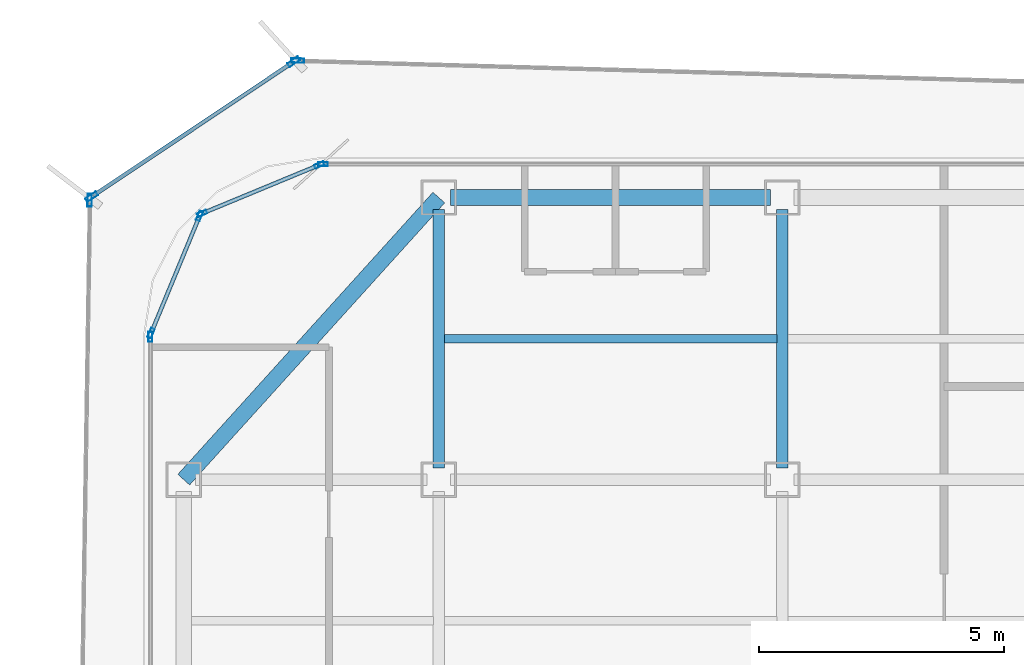
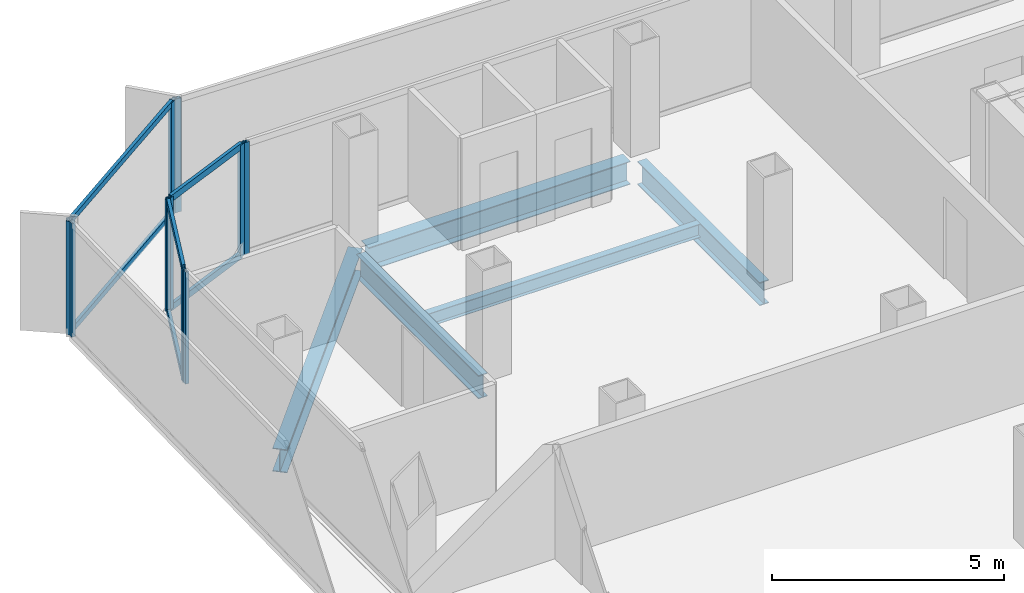
# One storey, part 6 of 16: 16 members, 5 beams, 7 elements without a shape of their own.
"""IFC4 building model written with IfcOpenShell, lengths in metres."""

from ifc_helpers import new_model, si_unit, direction, frame, origin, origin_2d, place, context, subcontext, project, spatial, hollow_rectangle, i_section, extrude, source, transform, mapped, material, layer, layer_set, material_profile, profile_set, type_object, element, aggregate, save


model = new_model("IFC4")

# Units and contexts
model_context = context("Model", 3, precision=1e-05, world=origin(), true_north=direction((0.0, 1.0)))
body_context = subcontext(model_context, "Body", "Model", "MODEL_VIEW")
ifc_project = project(units=[si_unit("LENGTHUNIT", "METRE"), si_unit("AREAUNIT", "SQUARE_METRE"), si_unit("VOLUMEUNIT", "CUBIC_METRE"), si_unit("PLANEANGLEUNIT", "RADIAN"), si_unit("MASSUNIT", "GRAM", prefix="KILO")], contexts=[model_context])

# Site, building, storey
site_placement = place(None, origin())
site = spatial("IfcSite", under=ifc_project, at=site_placement, CompositionType="ELEMENT")
building_placement = place(site_placement, origin())
building = spatial("IfcBuilding", under=site, at=building_placement, Name="Kolveth Station Tower", CompositionType="ELEMENT")
storey_placement = place(building_placement, frame((0.0, 0.0, 209.199951171875)))
storey = spatial("IfcBuildingStorey", under=building, at=storey_placement, Name="L59", CompositionType="ELEMENT", Elevation=209.199951171875)

# Beams
ifc_material_1 = material(Name="Steel S355", Category="steel")
ifc_material_profile_1 = material_profile(ifc_material_1, i_section(OverallWidth=0.323974609375, OverallDepth=0.611083984375, WebThickness=0.0126953125, FlangeThickness=0.01904296875, at=origin_2d()), Name="W610x155")
ifc_profile_set_1 = profile_set([ifc_material_profile_1], Name="Steel S355")
beam_type_1 = type_object("IfcBeamType", Name="Beam_SP2", PredefinedType="SPANDREL", material=ifc_profile_set_1)
shared_shape_1 = source(origin(), body_context, "Body", "SweptSolid", [
    extrude(i_section(OverallWidth=0.323974609375, OverallDepth=0.611083984375, WebThickness=0.0126953125, FlangeThickness=0.01904296875, at=origin_2d()), origin(), (0.0, 0.0, 1.0), 7.75244140625),
])
beam_1_placement = place(storey_placement, frame((6.0, 34.5, -0.555419921875), z_axis=(-0.670740965555, -0.74169168603, 0.0), x_axis=(0.74169168603, -0.670740965555, 0.0)))
element("IfcBeam", 1, at=beam_1_placement, inside=storey, type_object=beam_type_1, Name="L59 Corner Edge Girder BM-L59-CNR-NW", PredefinedType="SPANDREL", context=body_context, shape_type="MappedRepresentation", body=[
    mapped(shared_shape_1, transform((0.0, 0.0, 0.0), x_axis=(1.0, 0.0, 0.0), y_axis=(0.0, 1.0, 0.0), z_axis=(0.0, 0.0, 1.0), scale=1.0)),
])
shared_shape_2 = source(origin(), body_context, "Body", "SweptSolid", [
    extrude(i_section(OverallWidth=0.323974609375, OverallDepth=0.611083984375, WebThickness=0.0126953125, FlangeThickness=0.01904296875, at=origin_2d()), origin(), (0.0, 0.0, 1.0), 6.52001953125),
])
beam_2_placement = place(storey_placement, frame((6.239990234375, 34.5, -0.555419921875), z_axis=(1.0, 0.0, 0.0), x_axis=(0.0, 1.0, 0.0)))
element("IfcBeam", 2, at=beam_2_placement, inside=storey, type_object=beam_type_1, Name="L59 Perimeter Spandrel BM-L59-PN-1", PredefinedType="SPANDREL", context=body_context, shape_type="MappedRepresentation", body=[
    mapped(shared_shape_2, transform((0.0, 0.0, 0.0), x_axis=(1.0, 0.0, 0.0), y_axis=(0.0, 1.0, 0.0), z_axis=(0.0, 0.0, 1.0), scale=1.0)),
])
ifc_material_profile_2 = material_profile(ifc_material_1, i_section(OverallWidth=0.22900390625, OverallDepth=0.612060546875, WebThickness=0.011962890625, FlangeThickness=0.01953125, at=origin_2d()), Name="W610x125")
ifc_profile_set_2 = profile_set([ifc_material_profile_2], Name="Steel S355")
beam_type_2 = type_object("IfcBeamType", Name="Beam_B5", PredefinedType="BEAM", material=ifc_profile_set_2)
shared_shape_3 = source(origin(), body_context, "Body", "SweptSolid", [
    extrude(i_section(OverallWidth=0.22900390625, OverallDepth=0.612060546875, WebThickness=0.011962890625, FlangeThickness=0.01953125, at=origin_2d()), origin(), (0.0, 0.0, 1.0), 5.27001953125),
])
for number, where, z_axis, x_axis, name in (
    (3, (6.0, 28.989990234375, -0.555908203125), (0.0, 1.0, 0.0), (-1.0, 0.0, 0.0), "L59 Primary Girder BM-L59-GX60-6"),
    (4, (13.0, 28.989990234375, -0.555908203125), (0.0, 1.0, 0.0), (-1.0, 0.0, 0.0), "L59 Primary Girder BM-L59-GX130-6"),
):
    element("IfcBeam", number, at=place(storey_placement, frame(where, z_axis=z_axis, x_axis=x_axis)), inside=storey, type_object=beam_type_2, Name=name, PredefinedType="BEAM", context=body_context, shape_type="MappedRepresentation", body=[
        mapped(shared_shape_3, transform((0.0, 0.0, 0.0), x_axis=(1.0, 0.0, 0.0), y_axis=(0.0, 1.0, 0.0), z_axis=(0.0, 0.0, 1.0), scale=1.0)),
    ])
ifc_material_profile_3 = material_profile(ifc_material_1, i_section(OverallWidth=0.1708984375, OverallDepth=0.35205078125, WebThickness=0.0068359375, FlangeThickness=0.009765625, at=origin_2d()), Name="W360x44")
ifc_profile_set_3 = profile_set([ifc_material_profile_3], Name="Steel S355")
beam_type_3 = type_object("IfcBeamType", Name="Beam_J2", PredefinedType="JOIST", material=ifc_profile_set_3)
shared_shape_4 = source(origin(), body_context, "Body", "SweptSolid", [
    extrude(i_section(OverallWidth=0.1708984375, OverallDepth=0.35205078125, WebThickness=0.0068359375, FlangeThickness=0.009765625, at=origin_2d()), origin(), (0.0, 0.0, 1.0), 6.77490234375),
])
beam_3_placement = place(storey_placement, frame((6.112548828125, 31.625, -0.426025390625), z_axis=(1.0, 0.0, 0.0), x_axis=(0.0, 1.0, 0.0)))
element("IfcBeam", 5, at=beam_3_placement, inside=storey, type_object=beam_type_3, Name="L59 Secondary Joist JST-L59-2-6", PredefinedType="JOIST", context=body_context, shape_type="MappedRepresentation", body=[
    mapped(shared_shape_4, transform((0.0, 0.0, 0.0), x_axis=(1.0, 0.0, 0.0), y_axis=(0.0, 1.0, 0.0), z_axis=(0.0, 0.0, 1.0), scale=1.0)),
])

# Curtain wall, member
ifc_material_2 = material(Name="Aluminium 6063-T6 and low-E dark glass", Category="aluminium")
ifc_layer_1 = layer(ifc_material_2, 0.18994140625)
ifc_layer_set_1 = layer_set([ifc_layer_1], Name="Aluminium 6063-T6 and low-E dark glass")
curtain_wall_type_1 = type_object("IfcCurtainWallType", Name="CurtainWall_CW-Z2", PredefinedType="NOTDEFINED", material=ifc_layer_set_1)
curtain_wall_1_placement = place(storey_placement, origin())
curtain_wall_1 = element("IfcCurtainWall", 6, at=curtain_wall_1_placement, inside=storey, type_object=curtain_wall_type_1, Name="L59 Inner Thermal Curtain Wall 6", PredefinedType="NOTDEFINED")
ifc_material_3 = material(Name="Black anodized aluminium 6063-T6", Category="aluminium")
ifc_material_profile_4 = material_profile(ifc_material_3, hollow_rectangle(XDim=0.080078125, YDim=0.199951171875, WallThickness=0.0048828125, at=origin_2d()), Name="ALU-80x200x5")
ifc_profile_set_4 = profile_set([ifc_material_profile_4], Name="Black anodized aluminium 6063-T6")
member_type_1 = type_object("IfcMemberType", Name="Mullion_ML2", PredefinedType="MULLION", material=ifc_profile_set_4)
shared_shape_5 = source(origin(), body_context, "Body", "SweptSolid", [
    extrude(hollow_rectangle(XDim=0.080078125, YDim=0.199951171875, WallThickness=0.0048828125, at=origin_2d()), origin(), (0.0, 0.0, 1.0), 2.949951171875),
])
member_1_placement = place(storey_placement, frame((3.639892578125, 35.179931640625, 0.0), z_axis=(0.0, 0.0, 1.0), x_axis=(0.0, -1.0, 0.0)))
member_1 = element("IfcMember", 7, at=member_1_placement, type_object=member_type_1, Name="CW-Z2 mullion 2", PredefinedType="MULLION", context=body_context, shape_type="MappedRepresentation", body=[
    mapped(shared_shape_5, transform((0.0, 0.0, 0.0), x_axis=(1.0, 0.0, 0.0), y_axis=(0.0, 1.0, 0.0), z_axis=(0.0, 0.0, 1.0), scale=1.0)),
])
aggregate(curtain_wall_1, [member_1])

# Curtain wall, members
curtain_wall_2_placement = place(storey_placement, origin())
curtain_wall_2 = element("IfcCurtainWall", 8, at=curtain_wall_2_placement, inside=storey, type_object=curtain_wall_type_1, Name="L59 Inner Thermal Curtain Wall 7", PredefinedType="NOTDEFINED")
member_2_placement = place(storey_placement, frame((3.56298828125, 35.164794921875, 0.0), z_axis=(0.0, 0.0, 1.0), x_axis=(0.382697753087, -0.923873600544, 0.0)))
member_2 = element("IfcMember", 9, at=member_2_placement, type_object=member_type_1, Name="CW-Z2 mullion 1", PredefinedType="MULLION", context=body_context, shape_type="MappedRepresentation", body=[
    mapped(shared_shape_5, transform((0.0, 0.0, 0.0), x_axis=(1.0, 0.0, 0.0), y_axis=(0.0, 1.0, 0.0), z_axis=(0.0, 0.0, 1.0), scale=1.0)),
])
member_3_placement = place(storey_placement, frame((1.17626953125, 34.176025390625, 0.0), z_axis=(0.0, 0.0, 1.0), x_axis=(0.382697753087, -0.923873600544, 0.0)))
member_3 = element("IfcMember", 10, at=member_3_placement, type_object=member_type_1, Name="CW-Z2 mullion 2", PredefinedType="MULLION", context=body_context, shape_type="MappedRepresentation", body=[
    mapped(shared_shape_5, transform((0.0, 0.0, 0.0), x_axis=(1.0, 0.0, 0.0), y_axis=(0.0, 1.0, 0.0), z_axis=(0.0, 0.0, 1.0), scale=1.0)),
])

curtain_wall_3_placement = place(storey_placement, origin())
curtain_wall_3 = element("IfcCurtainWall", 11, at=curtain_wall_3_placement, inside=storey, type_object=curtain_wall_type_1, Name="L59 Inner Thermal Curtain Wall 8", PredefinedType="NOTDEFINED")
member_4_placement = place(storey_placement, frame((1.1240234375, 34.123779296875, 0.0), z_axis=(0.0, 0.0, 1.0), x_axis=(0.923873600544, -0.382697753087, 0.0)))
member_4 = element("IfcMember", 12, at=member_4_placement, type_object=member_type_1, Name="CW-Z2 mullion 1", PredefinedType="MULLION", context=body_context, shape_type="MappedRepresentation", body=[
    mapped(shared_shape_5, transform((0.0, 0.0, 0.0), x_axis=(1.0, 0.0, 0.0), y_axis=(0.0, 1.0, 0.0), z_axis=(0.0, 0.0, 1.0), scale=1.0)),
])
member_5_placement = place(storey_placement, frame((0.13525390625, 31.737060546875, 0.0), z_axis=(0.0, 0.0, 1.0), x_axis=(0.923873600544, -0.382697753087, 0.0)))
member_5 = element("IfcMember", 13, at=member_5_placement, type_object=member_type_1, Name="CW-Z2 mullion 2", PredefinedType="MULLION", context=body_context, shape_type="MappedRepresentation", body=[
    mapped(shared_shape_5, transform((0.0, 0.0, 0.0), x_axis=(1.0, 0.0, 0.0), y_axis=(0.0, 1.0, 0.0), z_axis=(0.0, 0.0, 1.0), scale=1.0)),
])

# Curtain wall, member
curtain_wall_4_placement = place(storey_placement, origin())
curtain_wall_4 = element("IfcCurtainWall", 14, at=curtain_wall_4_placement, inside=storey, type_object=curtain_wall_type_1, Name="L59 Inner Thermal Curtain Wall 9", PredefinedType="NOTDEFINED")
member_6_placement = place(storey_placement, frame((0.1201171875, 31.659912109375, 0.0), z_axis=(0.0, 0.0, 1.0), x_axis=(1.0, 0.0, 0.0)))
member_6 = element("IfcMember", 15, at=member_6_placement, type_object=member_type_1, Name="CW-Z2 mullion 1", PredefinedType="MULLION", context=body_context, shape_type="MappedRepresentation", body=[
    mapped(shared_shape_5, transform((0.0, 0.0, 0.0), x_axis=(1.0, 0.0, 0.0), y_axis=(0.0, 1.0, 0.0), z_axis=(0.0, 0.0, 1.0), scale=1.0)),
])
aggregate(curtain_wall_4, [member_6])

ifc_material_4 = material(Name="Black anodized aluminium 6063-T6 and dark solar glass", Category="aluminium")
ifc_layer_2 = layer(ifc_material_4, 0.159912109375)
ifc_layer_set_2 = layer_set([ifc_layer_2], Name="Black anodized aluminium 6063-T6 and dark solar glass")
curtain_wall_type_2 = type_object("IfcCurtainWallType", Name="OUTER SKIN CW-OS", PredefinedType="NOTDEFINED", material=ifc_layer_set_2)
curtain_wall_5_placement = place(storey_placement, origin())
curtain_wall_5 = element("IfcCurtainWall", 16, at=curtain_wall_5_placement, inside=storey, type_object=curtain_wall_type_2, Name="L59 Outer Ventilated Skin Curtain Wall 4", PredefinedType="NOTDEFINED")
ifc_material_profile_5 = material_profile(ifc_material_3, hollow_rectangle(XDim=0.090087890625, YDim=0.260009765625, WallThickness=0.0048828125, at=origin_2d()), Name="ALU-90x260x5")
ifc_profile_set_5 = profile_set([ifc_material_profile_5], Name="Black anodized aluminium 6063-T6")
member_type_2 = type_object("IfcMemberType", Name="FIN MULLION ML-OS", PredefinedType="MULLION", material=ifc_profile_set_5)
shared_shape_6 = source(origin(), body_context, "Body", "SweptSolid", [
    extrude(hollow_rectangle(XDim=0.090087890625, YDim=0.260009765625, WallThickness=0.0048828125, at=origin_2d()), origin(), (0.0, 0.0, 1.0), 2.989990234375),
])
member_7_placement = place(storey_placement, frame((3.1240234375, 37.29150390625, 0.0), z_axis=(0.0, 0.0, 1.0), x_axis=(-0.028325205957, -0.999598760857, 0.0)))
member_7 = element("IfcMember", 17, at=member_7_placement, type_object=member_type_2, Name="CW-OS mullion 2", PredefinedType="MULLION", context=body_context, shape_type="MappedRepresentation", body=[
    mapped(shared_shape_6, transform((0.0, 0.0, 0.0), x_axis=(1.0, 0.0, 0.0), y_axis=(0.0, 1.0, 0.0), z_axis=(0.0, 0.0, 1.0), scale=1.0)),
])
aggregate(curtain_wall_5, [member_7])

# Curtain wall, members
curtain_wall_6_placement = place(storey_placement, origin())
curtain_wall_6 = element("IfcCurtainWall", 18, at=curtain_wall_6_placement, inside=storey, type_object=curtain_wall_type_2, Name="L59 Outer Ventilated Skin Curtain Wall 5", PredefinedType="NOTDEFINED")
member_8_placement = place(storey_placement, frame((3.041748046875, 37.267822265625, 0.0), z_axis=(0.0, 0.0, 1.0), x_axis=(0.555523229233, -0.831501017307, 0.0)))
member_8 = element("IfcMember", 19, at=member_8_placement, type_object=member_type_2, Name="CW-OS mullion 1", PredefinedType="MULLION", context=body_context, shape_type="MappedRepresentation", body=[
    mapped(shared_shape_6, transform((0.0, 0.0, 0.0), x_axis=(1.0, 0.0, 0.0), y_axis=(0.0, 1.0, 0.0), z_axis=(0.0, 0.0, 1.0), scale=1.0)),
])
member_9_placement = place(storey_placement, frame((-1.07861328125, 34.514892578125, 0.0), z_axis=(0.0, 0.0, 1.0), x_axis=(0.555523229233, -0.831501017307, 0.0)))
member_9 = element("IfcMember", 20, at=member_9_placement, type_object=member_type_2, Name="CW-OS mullion 2", PredefinedType="MULLION", context=body_context, shape_type="MappedRepresentation", body=[
    mapped(shared_shape_6, transform((0.0, 0.0, 0.0), x_axis=(1.0, 0.0, 0.0), y_axis=(0.0, 1.0, 0.0), z_axis=(0.0, 0.0, 1.0), scale=1.0)),
])

# Curtain wall, member
curtain_wall_7_placement = place(storey_placement, origin())
curtain_wall_7 = element("IfcCurtainWall", 21, at=curtain_wall_7_placement, inside=storey, type_object=curtain_wall_type_2, Name="L59 Outer Ventilated Skin Curtain Wall 6", PredefinedType="NOTDEFINED")
member_10_placement = place(storey_placement, frame((-1.11669921875, 34.44482421875, 0.0), z_axis=(0.0, 0.0, 1.0), x_axis=(0.999876442304, -0.015719418751, 0.0)))
member_10 = element("IfcMember", 22, at=member_10_placement, type_object=member_type_2, Name="CW-OS mullion 1", PredefinedType="MULLION", context=body_context, shape_type="MappedRepresentation", body=[
    mapped(shared_shape_6, transform((0.0, 0.0, 0.0), x_axis=(1.0, 0.0, 0.0), y_axis=(0.0, 1.0, 0.0), z_axis=(0.0, 0.0, 1.0), scale=1.0)),
])
aggregate(curtain_wall_7, [member_10])

# Member
ifc_material_profile_6 = material_profile(ifc_material_3, hollow_rectangle(XDim=0.080078125, YDim=0.169921875, WallThickness=0.0048828125, at=origin_2d()), Name="ALU-80x170x5")
ifc_profile_set_6 = profile_set([ifc_material_profile_6], Name="Black anodized aluminium 6063-T6")
member_type_3 = type_object("IfcMemberType", Name="Transom_TR2", PredefinedType="USERDEFINED", material=ifc_profile_set_6)
shared_shape_7 = source(origin(), body_context, "Body", "SweptSolid", [
    extrude(hollow_rectangle(XDim=0.080078125, YDim=0.169921875, WallThickness=0.0048828125, at=origin_2d()), origin(), (0.0, 0.0, 1.0), 2.50341796875),
])
member_11_placement = place(storey_placement, frame((3.526123046875, 35.1494140625, 0.0400390625), z_axis=(-0.923888472039, -0.382661849723, 0.0), x_axis=(0.382661849723, -0.923888472039, 0.0)))
member_11 = element("IfcMember", 23, at=member_11_placement, type_object=member_type_3, Name="CW-Z2 transom 1.1", ObjectType="TRANSOM", PredefinedType="USERDEFINED", context=body_context, shape_type="MappedRepresentation", body=[
    mapped(shared_shape_7, transform((0.0, 0.0, 0.0), x_axis=(1.0, 0.0, 0.0), y_axis=(0.0, 1.0, 0.0), z_axis=(0.0, 0.0, 1.0), scale=1.0)),
])

member_12_placement = place(storey_placement, frame((3.526123046875, 35.1494140625, 2.91015625), z_axis=(-0.923888472039, -0.382661849723, 0.0), x_axis=(0.382661849723, -0.923888472039, 0.0)))
member_12 = element("IfcMember", 24, at=member_12_placement, type_object=member_type_3, Name="CW-Z2 transom 1.2", ObjectType="TRANSOM", PredefinedType="USERDEFINED", context=body_context, shape_type="MappedRepresentation", body=[
    mapped(shared_shape_7, transform((0.0, 0.0, 0.0), x_axis=(1.0, 0.0, 0.0), y_axis=(0.0, 1.0, 0.0), z_axis=(0.0, 0.0, 1.0), scale=1.0)),
])

aggregate(curtain_wall_2, [member_2, member_3, member_11, member_12])

member_13_placement = place(storey_placement, frame((1.108642578125, 34.086669921875, 0.0400390625), z_axis=(-0.382696328882, -0.923874190494, 0.0), x_axis=(0.923874190494, -0.382696328882, 0.0)))
member_13 = element("IfcMember", 25, at=member_13_placement, type_object=member_type_3, Name="CW-Z2 transom 1.1", ObjectType="TRANSOM", PredefinedType="USERDEFINED", context=body_context, shape_type="MappedRepresentation", body=[
    mapped(shared_shape_7, transform((0.0, 0.0, 0.0), x_axis=(1.0, 0.0, 0.0), y_axis=(0.0, 1.0, 0.0), z_axis=(0.0, 0.0, 1.0), scale=1.0)),
])

member_14_placement = place(storey_placement, frame((1.108642578125, 34.086669921875, 2.91015625), z_axis=(-0.382696328882, -0.923874190494, 0.0), x_axis=(0.923874190494, -0.382696328882, 0.0)))
member_14 = element("IfcMember", 26, at=member_14_placement, type_object=member_type_3, Name="CW-Z2 transom 1.2", ObjectType="TRANSOM", PredefinedType="USERDEFINED", context=body_context, shape_type="MappedRepresentation", body=[
    mapped(shared_shape_7, transform((0.0, 0.0, 0.0), x_axis=(1.0, 0.0, 0.0), y_axis=(0.0, 1.0, 0.0), z_axis=(0.0, 0.0, 1.0), scale=1.0)),
])

aggregate(curtain_wall_3, [member_4, member_5, member_13, member_14])

ifc_material_profile_7 = material_profile(ifc_material_3, hollow_rectangle(XDim=0.080078125, YDim=0.14990234375, WallThickness=0.0048828125, at=origin_2d()), Name="ALU-80x150x5")
ifc_profile_set_7 = profile_set([ifc_material_profile_7], Name="Black anodized aluminium 6063-T6")
member_type_4 = type_object("IfcMemberType", Name="Transom_TR-OS", PredefinedType="USERDEFINED", material=ifc_profile_set_7)
shared_shape_8 = source(origin(), body_context, "Body", "SweptSolid", [
    extrude(hollow_rectangle(XDim=0.080078125, YDim=0.14990234375, WallThickness=0.0048828125, at=origin_2d()), origin(), (0.0, 0.0, 1.0), 4.865234375),
])
member_15_placement = place(storey_placement, frame((3.004150390625, 37.24267578125, 0.0400390625), z_axis=(-0.831486302404, -0.555545253706, 0.0), x_axis=(0.555545253706, -0.831486302404, 0.0)))
member_15 = element("IfcMember", 27, at=member_15_placement, type_object=member_type_4, Name="CW-OS transom 1.1", ObjectType="TRANSOM", PredefinedType="USERDEFINED", context=body_context, shape_type="MappedRepresentation", body=[
    mapped(shared_shape_8, transform((0.0, 0.0, 0.0), x_axis=(1.0, 0.0, 0.0), y_axis=(0.0, 1.0, 0.0), z_axis=(0.0, 0.0, 1.0), scale=1.0)),
])

member_16_placement = place(storey_placement, frame((3.004150390625, 37.24267578125, 2.949951171875), z_axis=(-0.831486302404, -0.555545253706, 0.0), x_axis=(0.555545253706, -0.831486302404, 0.0)))
member_16 = element("IfcMember", 28, at=member_16_placement, type_object=member_type_4, Name="CW-OS transom 1.2", ObjectType="TRANSOM", PredefinedType="USERDEFINED", context=body_context, shape_type="MappedRepresentation", body=[
    mapped(shared_shape_8, transform((0.0, 0.0, 0.0), x_axis=(1.0, 0.0, 0.0), y_axis=(0.0, 1.0, 0.0), z_axis=(0.0, 0.0, 1.0), scale=1.0)),
])

aggregate(curtain_wall_6, [member_8, member_9, member_15, member_16])

save(model, "model.ifc")
